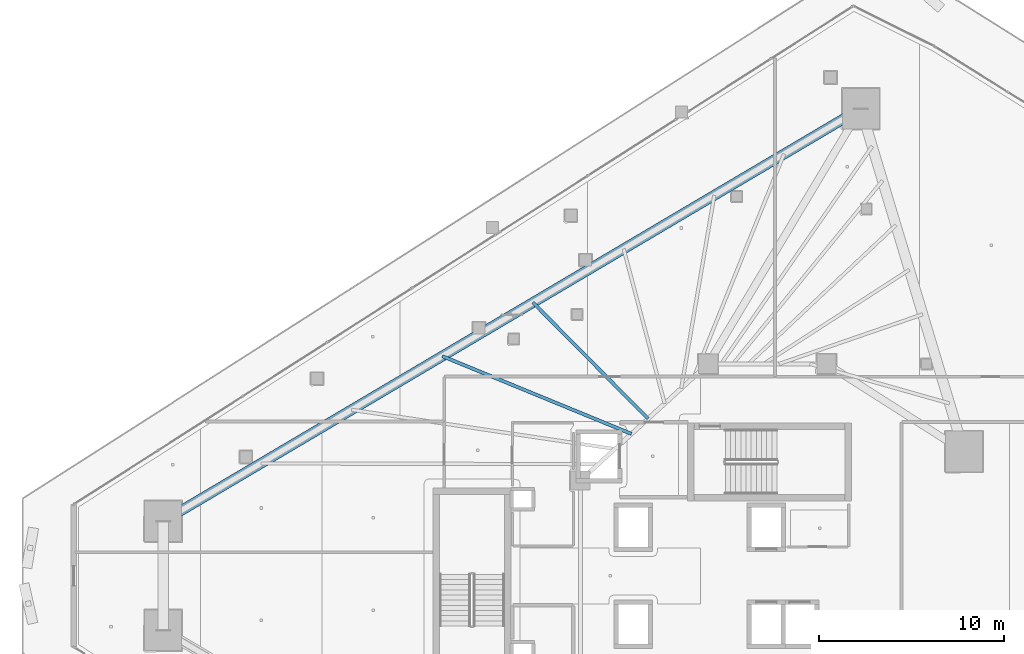
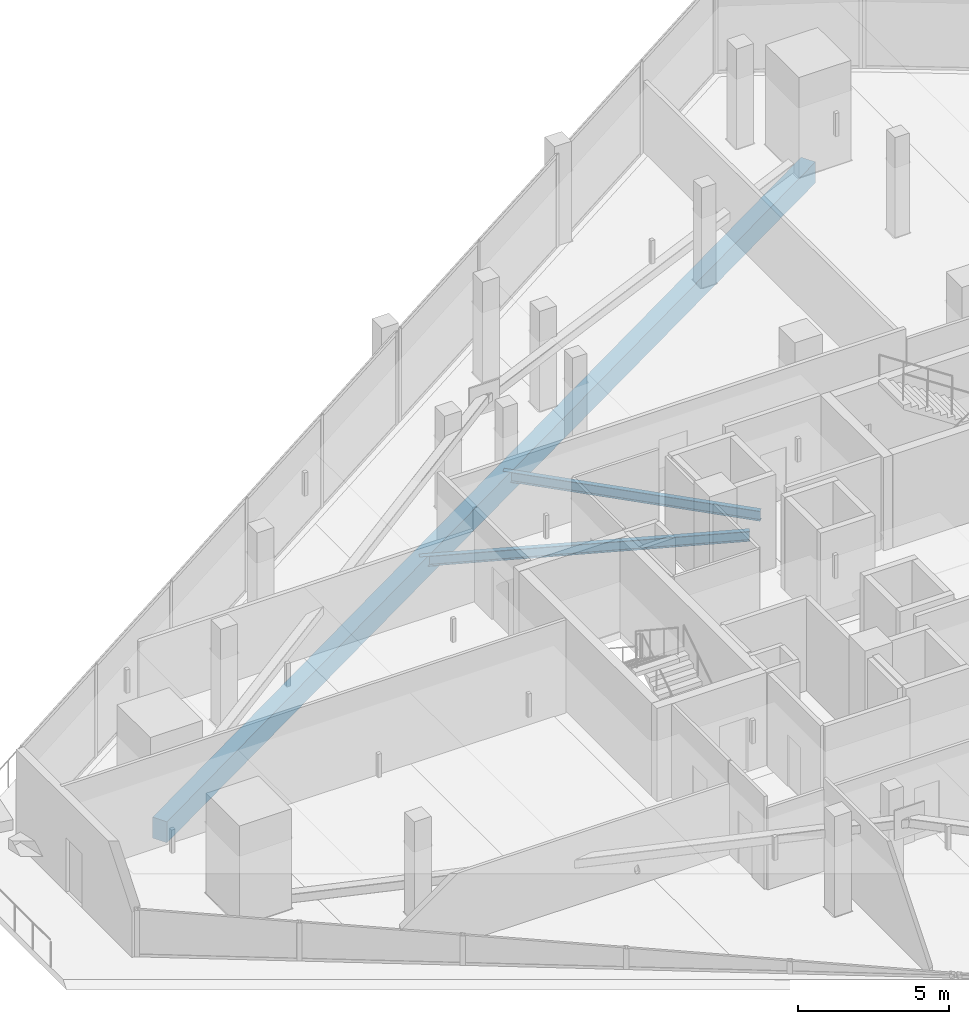
# One storey, part 16 of 45: 3 beams.
"""IFC4 building model written with IfcOpenShell, lengths in metres."""

from ifc_helpers import new_model, si_unit, direction, frame, origin, origin_2d, place, context, subcontext, project, spatial, rectangle, i_section, extrude, material, material_profile, profile_set, type_object, element, save


model = new_model("IFC4")

# Units and contexts
model_context = context("Model", 3, precision=1e-05, world=origin(), true_north=direction((0.0, 1.0)))
body_context = subcontext(model_context, "Body", "Model", "MODEL_VIEW")
ifc_project = project(units=[si_unit("LENGTHUNIT", "METRE"), si_unit("AREAUNIT", "SQUARE_METRE"), si_unit("VOLUMEUNIT", "CUBIC_METRE"), si_unit("PLANEANGLEUNIT", "RADIAN"), si_unit("MASSUNIT", "GRAM", prefix="KILO")], contexts=[model_context])

# Site, building, storey
site_placement = place(None, origin())
site = spatial("IfcSite", under=ifc_project, at=site_placement, CompositionType="ELEMENT")
building_placement = place(site_placement, origin())
building = spatial("IfcBuilding", under=site, at=building_placement, Name="Qorvath Tower", CompositionType="ELEMENT")
storey_placement = place(building_placement, frame((0.0, 0.0, 126.0)))
storey = spatial("IfcBuildingStorey", under=building, at=storey_placement, Name="L28", CompositionType="ELEMENT", Elevation=126.0)

# Beams
ifc_material_1 = material(Name="Steel ASTM A992 Grade 50", Category="steel")
ifc_material_profile_1 = material_profile(ifc_material_1, i_section(OverallWidth=0.177978515625, OverallDepth=0.406005859375, WebThickness=0.0078125, FlangeThickness=0.0126953125, FilletRadius=0.010986328125, at=origin_2d()), Name="W16x40")
ifc_profile_set_1 = profile_set([ifc_material_profile_1], Name="Steel ASTM A992 Grade 50")
beam_type_1 = type_object("IfcBeamType", Name="BM-FJ3", PredefinedType="JOIST", material=ifc_profile_set_1)
beam_1_placement = place(storey_placement, frame((-27.739990234375, 7.669921875, -0.48291015625), z_axis=(-0.925068176006, 0.379801092338, 0.0), x_axis=(-0.379801092338, -0.925068176006, 0.0)))
element("IfcBeam", 1, at=beam_1_placement, inside=storey, type_object=beam_type_1, Name="Composite Floor Joist NW3 L28", PredefinedType="JOIST", context=body_context, shape_type="SweptSolid", body=[
    extrude(i_section(OverallWidth=0.177978515625, OverallDepth=0.406005859375, WebThickness=0.0078125, FlangeThickness=0.0126953125, FilletRadius=0.010986328125, at=origin_2d()), origin(), (0.0, 0.0, 1.0), 11.0556640625),
])
beam_2_placement = place(storey_placement, frame((-26.843017578125, 8.489013671875, -0.48291015625), z_axis=(-0.70395121362, 0.710248328997, 0.0), x_axis=(-0.710248328997, -0.70395121362, 0.0)))
element("IfcBeam", 2, at=beam_2_placement, inside=storey, type_object=beam_type_1, Name="Composite Floor Joist NW4 L28", PredefinedType="JOIST", context=body_context, shape_type="SweptSolid", body=[
    extrude(i_section(OverallWidth=0.177978515625, OverallDepth=0.406005859375, WebThickness=0.0078125, FlangeThickness=0.0126953125, FilletRadius=0.010986328125, at=origin_2d()), origin(), (0.0, 0.0, 1.0), 8.839599609375),
])
ifc_material_2 = material(Name="Concrete C50/60", Category="concrete")
ifc_material_profile_2 = material_profile(ifc_material_2, rectangle(XDim=0.550048828125, YDim=0.85009765625, at=origin_2d()), Name="RCB 850x550")
ifc_profile_set_2 = profile_set([ifc_material_profile_2], Name="Concrete C50/60")
beam_type_2 = type_object("IfcBeamType", Name="BM-RCB2", PredefinedType="SPANDREL", material=ifc_profile_set_2)
beam_3_placement = place(storey_placement, frame((-15.34423828125, 25.24609375, -0.705078125), z_axis=(-0.860775142889, -0.508985415689, 0.0), x_axis=(0.508985415689, -0.860775142889, 0.0)))
element("IfcBeam", 3, at=beam_3_placement, inside=storey, type_object=beam_type_2, Name="Perimeter Loggia Frame Beam MC6-MC1 L28", PredefinedType="SPANDREL", context=body_context, shape_type="SweptSolid", body=[
    extrude(rectangle(XDim=0.550048828125, YDim=0.85009765625, at=origin_2d()), origin(), (0.0, 0.0, 1.0), 43.8037109375),
])

save(model, "model.ifc")
